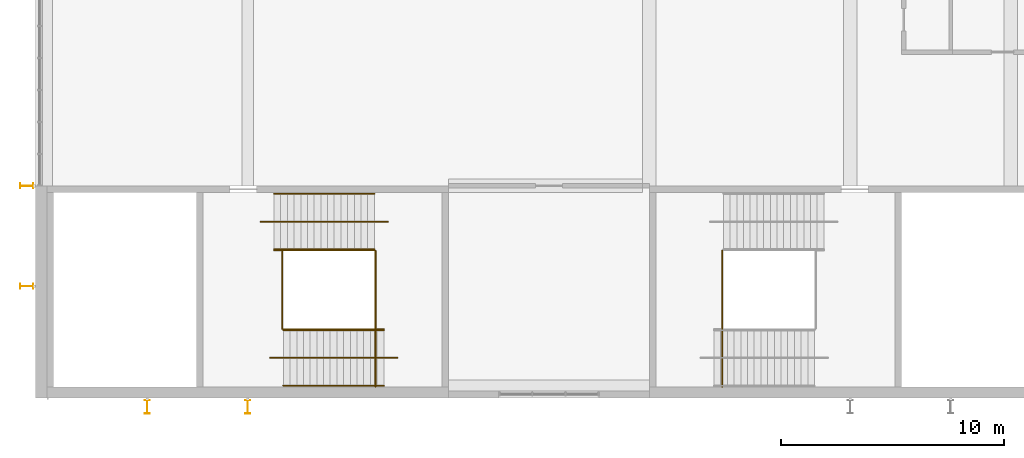
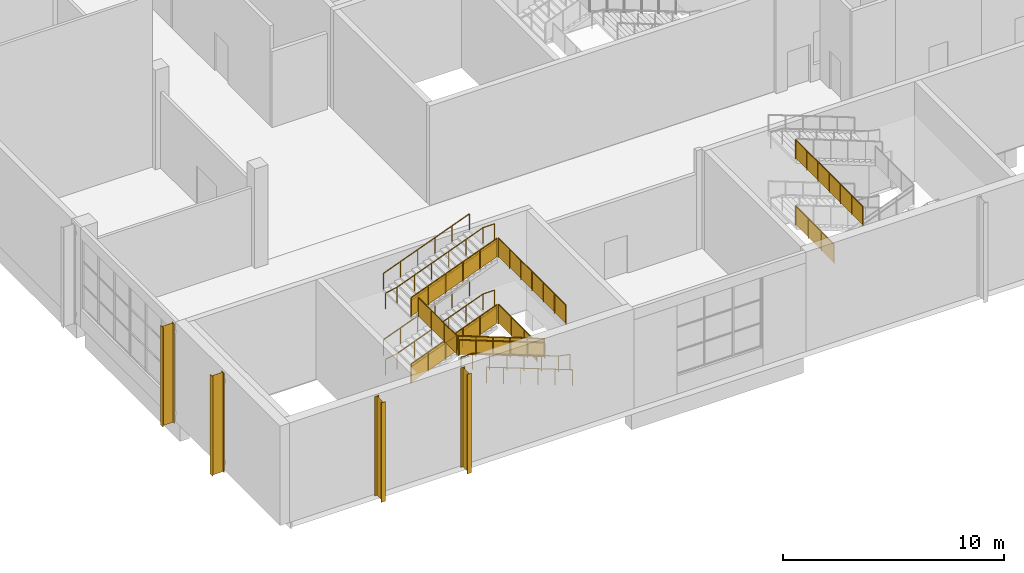
# One storey, part 60 of 84: 17 railings, 4 shading devices.
"""IFC4 building model written with IfcOpenShell, lengths in metres."""

from ifc_helpers import new_model, si_unit, direction, frame, origin, origin_2d, place, context, subcontext, project, spatial, polyline, circle, i_section, outline, extrude, material, material_profile, profile_set, type_object, element, save


model = new_model("IFC4")

# Units and contexts
model_context = context("Model", 3, precision=1e-05, world=origin(), true_north=direction((0.0, 1.0)))
body_context = subcontext(model_context, "Body", "Model", "MODEL_VIEW")
ifc_project = project(units=[si_unit("LENGTHUNIT", "METRE"), si_unit("AREAUNIT", "SQUARE_METRE"), si_unit("VOLUMEUNIT", "CUBIC_METRE"), si_unit("PLANEANGLEUNIT", "RADIAN"), si_unit("MASSUNIT", "GRAM", prefix="KILO")], contexts=[model_context])

# Site, building, storey
site_placement = place(None, origin())
site = spatial("IfcSite", under=ifc_project, at=site_placement, CompositionType="ELEMENT")
building_placement = place(site_placement, origin())
building = spatial("IfcBuilding", under=site, at=building_placement, Name="Silverbay Arena", CompositionType="ELEMENT")
storey_placement = place(building_placement, frame((0.0, 0.0, 28.0)))
storey = spatial("IfcBuildingStorey", under=building, at=storey_placement, Name="L04", CompositionType="ELEMENT", Elevation=28.0)

# Railings
ifc_material_1 = material(Name="Stainless steel", Category="steel")
railing_type_1 = type_object("IfcRailingType", Name="Stair guard 1100", PredefinedType="GUARDRAIL", material=ifc_material_1)
railing_1_placement = place(storey_placement, frame((84.2705078125, 24.10009765625, 1.833251953125)))
element("IfcRailing", 1, at=railing_1_placement, inside=storey, type_object=railing_type_1, Name="Stair ST-S1 L04 to L05 landing 1 guard", PredefinedType="GUARDRAIL", context=body_context, shape_type="SweptSolid", body=[
    extrude(circle(Radius=0.02392578125, at=origin_2d()), frame((0.0, 0.0, 1.076171875), z_axis=(0.0, -1.0, 0.0), x_axis=(1.0, 0.0, 0.0)), (0.0, 0.0, 1.0), 3.5),
    extrude(outline(polyline([(-0.008056640625, 0.050048828125), (1.174560546875, 0.050048828125), (1.174560546875, 1.052978515625), (-0.008056640625, 1.052978515625), (-0.008056640625, 0.050048828125)])), frame((0.0029296875, 0.0, 0.0), z_axis=(-1.0, 0.0, 0.0), x_axis=(0.0, -1.0, 0.0)), (0.0, 0.0, 1.0), 0.006103515625),
    extrude(outline(polyline([(-0.008056640625, 0.050048828125), (1.174560546875, 0.050048828125), (1.174560546875, 1.052978515625), (-0.008056640625, 1.052978515625), (-0.008056640625, 0.050048828125)])), frame((0.0029296875, -1.166748046875, 0.0), z_axis=(-1.0, 0.0, 0.0), x_axis=(0.0, -1.0, 0.0)), (0.0, 0.0, 1.0), 0.006103515625),
    extrude(outline(polyline([(-0.008056640625, 0.050048828125), (1.174560546875, 0.050048828125), (1.174560546875, 1.052978515625), (-0.008056640625, 1.052978515625), (-0.008056640625, 0.050048828125)])), frame((0.0029296875, -2.333251953125, 0.0), z_axis=(-1.0, 0.0, 0.0), x_axis=(0.0, -1.0, 0.0)), (0.0, 0.0, 1.0), 0.006103515625),
    extrude(circle(Radius=0.02099609375, at=origin_2d()), origin(), (0.0, 0.0, 1.0), 1.052001953125),
    extrude(circle(Radius=0.02099609375, at=origin_2d()), frame((0.0, -1.166748046875, 0.0)), (0.0, 0.0, 1.0), 1.052001953125),
    extrude(circle(Radius=0.02099609375, at=origin_2d()), frame((0.0, -2.333251953125, 0.0)), (0.0, 0.0, 1.0), 1.052001953125),
    extrude(circle(Radius=0.02099609375, at=origin_2d()), frame((0.0, -3.5, 0.0)), (0.0, 0.0, 1.0), 1.052001953125),
])
railing_2_placement = place(storey_placement, frame((84.2705078125, 24.10009765625, 5.5)))
element("IfcRailing", 2, at=railing_2_placement, inside=storey, type_object=railing_type_1, Name="Stair ST-S1 L04 to L05 landing 3 guard", PredefinedType="GUARDRAIL", context=body_context, shape_type="SweptSolid", body=[
    extrude(circle(Radius=0.02392578125, at=origin_2d()), frame((0.0, 0.0, 1.076171875), z_axis=(0.0, -1.0, 0.0), x_axis=(1.0, 0.0, 0.0)), (0.0, 0.0, 1.0), 6.10009765625),
    extrude(outline(polyline([(-0.008056640625, 0.050048828125), (1.024658203125, 0.050048828125), (1.024658203125, 1.052978515625), (-0.008056640625, 1.052978515625), (-0.008056640625, 0.050048828125)])), frame((0.0029296875, 0.0, 0.0), z_axis=(-1.0, 0.0, 0.0), x_axis=(0.0, -1.0, 0.0)), (0.0, 0.0, 1.0), 0.006103515625),
    extrude(outline(polyline([(-0.008056640625, 0.050048828125), (1.024658203125, 0.050048828125), (1.024658203125, 1.052978515625), (-0.008056640625, 1.052978515625), (-0.008056640625, 0.050048828125)])), frame((0.0029296875, -1.0166015625, 0.0), z_axis=(-1.0, 0.0, 0.0), x_axis=(0.0, -1.0, 0.0)), (0.0, 0.0, 1.0), 0.006103515625),
    extrude(outline(polyline([(-0.008056640625, 0.050048828125), (1.024658203125, 0.050048828125), (1.024658203125, 1.052978515625), (-0.008056640625, 1.052978515625), (-0.008056640625, 0.050048828125)])), frame((0.0029296875, -2.033447265625, 0.0), z_axis=(-1.0, 0.0, 0.0), x_axis=(0.0, -1.0, 0.0)), (0.0, 0.0, 1.0), 0.006103515625),
    extrude(outline(polyline([(-0.008056640625, 0.050048828125), (1.024658203125, 0.050048828125), (1.024658203125, 1.052978515625), (-0.008056640625, 1.052978515625), (-0.008056640625, 0.050048828125)])), frame((0.0029296875, -3.050048828125, 0.0), z_axis=(-1.0, 0.0, 0.0), x_axis=(0.0, -1.0, 0.0)), (0.0, 0.0, 1.0), 0.006103515625),
    extrude(outline(polyline([(-0.008056640625, 0.050048828125), (1.024658203125, 0.050048828125), (1.024658203125, 1.052978515625), (-0.008056640625, 1.052978515625), (-0.008056640625, 0.050048828125)])), frame((0.0029296875, -4.066650390625, 0.0), z_axis=(-1.0, 0.0, 0.0), x_axis=(0.0, -1.0, 0.0)), (0.0, 0.0, 1.0), 0.006103515625),
    extrude(outline(polyline([(-0.008056640625, 0.050048828125), (1.024658203125, 0.050048828125), (1.024658203125, 1.052978515625), (-0.008056640625, 1.052978515625), (-0.008056640625, 0.050048828125)])), frame((0.0029296875, -5.08349609375, 0.0), z_axis=(-1.0, 0.0, 0.0), x_axis=(0.0, -1.0, 0.0)), (0.0, 0.0, 1.0), 0.006103515625),
    extrude(circle(Radius=0.02099609375, at=origin_2d()), origin(), (0.0, 0.0, 1.0), 1.052001953125),
    extrude(circle(Radius=0.02099609375, at=origin_2d()), frame((0.0, -1.0166015625, 0.0)), (0.0, 0.0, 1.0), 1.052001953125),
    extrude(circle(Radius=0.02099609375, at=origin_2d()), frame((0.0, -2.033447265625, 0.0)), (0.0, 0.0, 1.0), 1.052001953125),
    extrude(circle(Radius=0.02099609375, at=origin_2d()), frame((0.0, -3.050048828125, 0.0)), (0.0, 0.0, 1.0), 1.052001953125),
    extrude(circle(Radius=0.02099609375, at=origin_2d()), frame((0.0, -4.066650390625, 0.0)), (0.0, 0.0, 1.0), 1.052001953125),
    extrude(circle(Radius=0.02099609375, at=origin_2d()), frame((0.0, -5.08349609375, 0.0)), (0.0, 0.0, 1.0), 1.052001953125),
    extrude(circle(Radius=0.02099609375, at=origin_2d()), frame((0.0, -6.10009765625, 0.0)), (0.0, 0.0, 1.0), 1.052001953125),
])
railing_3_placement = place(storey_placement, frame((64.1796875, 24.125, 0.114501953125)))
element("IfcRailing", 3, at=railing_3_placement, inside=storey, type_object=railing_type_1, Name="Stair ST-S5 L04 to L05 flight 1 guard right", PredefinedType="GUARDRAIL", context=body_context, shape_type="SweptSolid", body=[
    extrude(circle(Radius=0.02392578125, at=origin_2d()), frame((0.0, 0.0, 1.076171875), z_axis=(0.93417907455, 0.0, 0.356804507641), x_axis=(0.0, 1.0, 0.0)), (0.0, 0.0, 1.0), 4.817138671875),
    extrude(outline(polyline([(-0.008056640625, 0.046875), (0.907958984375, 0.396728515625), (0.907958984375, 1.39990234375), (-0.008056640625, 1.050048828125), (-0.008056640625, 0.046875)])), frame((0.0, 0.0029296875, 0.0), z_axis=(0.0, -1.0, 0.0), x_axis=(1.0, 0.0, 0.0)), (0.0, 0.0, 1.0), 0.006103515625),
    extrude(outline(polyline([(-0.008056640625, 0.390625), (0.907958984375, 0.740478515625), (0.907958984375, 1.74365234375), (-0.008056640625, 1.393798828125), (-0.008056640625, 0.390625)])), frame((0.89990234375, 0.0029296875, 0.0), z_axis=(0.0, -1.0, 0.0), x_axis=(1.0, 0.0, 0.0)), (0.0, 0.0, 1.0), 0.006103515625),
    extrude(outline(polyline([(-0.008056640625, 0.734375), (0.907958984375, 1.084228515625), (0.907958984375, 2.08740234375), (-0.008056640625, 1.737548828125), (-0.008056640625, 0.734375)])), frame((1.800048828125, 0.0029296875, 0.0), z_axis=(0.0, -1.0, 0.0), x_axis=(1.0, 0.0, 0.0)), (0.0, 0.0, 1.0), 0.006103515625),
    extrude(outline(polyline([(-0.008056640625, 1.078125), (0.907958984375, 1.427978515625), (0.907958984375, 2.43115234375), (-0.008056640625, 2.081298828125), (-0.008056640625, 1.078125)])), frame((2.699951171875, 0.0029296875, 0.0), z_axis=(0.0, -1.0, 0.0), x_axis=(1.0, 0.0, 0.0)), (0.0, 0.0, 1.0), 0.006103515625),
    extrude(outline(polyline([(-0.008056640625, 1.421875), (0.907958984375, 1.771728515625), (0.907958984375, 2.77490234375), (-0.008056640625, 2.425048828125), (-0.008056640625, 1.421875)])), frame((3.60009765625, 0.0029296875, 0.0), z_axis=(0.0, -1.0, 0.0), x_axis=(1.0, 0.0, 0.0)), (0.0, 0.0, 1.0), 0.006103515625),
    extrude(circle(Radius=0.02099609375, at=origin_2d()), origin(), (0.0, 0.0, 1.0), 1.052001953125),
    extrude(circle(Radius=0.02099609375, at=origin_2d()), frame((0.89990234375, 0.0, 0.34375)), (0.0, 0.0, 1.0), 1.052001953125),
    extrude(circle(Radius=0.02099609375, at=origin_2d()), frame((1.800048828125, 0.0, 0.6875)), (0.0, 0.0, 1.0), 1.052001953125),
    extrude(circle(Radius=0.02099609375, at=origin_2d()), frame((2.699951171875, 0.0, 1.03125)), (0.0, 0.0, 1.0), 1.052001953125),
    extrude(circle(Radius=0.02099609375, at=origin_2d()), frame((3.60009765625, 0.0, 1.375)), (0.0, 0.0, 1.0), 1.052001953125),
    extrude(circle(Radius=0.02099609375, at=origin_2d()), frame((4.5, 0.0, 1.71875)), (0.0, 0.0, 1.0), 1.052001953125),
])
railing_4_placement = place(storey_placement, frame((69.10009765625, 20.574951171875, 1.947998046875)))
element("IfcRailing", 4, at=railing_4_placement, inside=storey, type_object=railing_type_1, Name="Stair ST-S5 L04 to L05 flight 2 guard left", PredefinedType="GUARDRAIL", context=body_context, shape_type="SweptSolid", body=[
    extrude(circle(Radius=0.02392578125, at=origin_2d()), frame((0.0, 0.0, 1.076171875), z_axis=(-0.93417907455, 0.0, 0.356804507641), x_axis=(0.0, -1.0, 0.0)), (0.0, 0.0, 1.0), 4.817138671875),
    extrude(outline(polyline([(-0.008056640625, 0.046875), (0.907958984375, 0.396728515625), (0.907958984375, 1.39990234375), (-0.008056640625, 1.050048828125), (-0.008056640625, 0.046875)])), frame((0.0, -0.0029296875, 0.0), z_axis=(0.0, 1.0, 0.0), x_axis=(-1.0, 0.0, 0.0)), (0.0, 0.0, 1.0), 0.006103515625),
    extrude(outline(polyline([(-0.008056640625, 0.390625), (0.907958984375, 0.740478515625), (0.907958984375, 1.74365234375), (-0.008056640625, 1.393798828125), (-0.008056640625, 0.390625)])), frame((-0.89990234375, -0.0029296875, 0.0), z_axis=(0.0, 1.0, 0.0), x_axis=(-1.0, 0.0, 0.0)), (0.0, 0.0, 1.0), 0.006103515625),
    extrude(outline(polyline([(-0.008056640625, 0.734375), (0.907958984375, 1.084228515625), (0.907958984375, 2.08740234375), (-0.008056640625, 1.737548828125), (-0.008056640625, 0.734375)])), frame((-1.800048828125, -0.0029296875, 0.0), z_axis=(0.0, 1.0, 0.0), x_axis=(-1.0, 0.0, 0.0)), (0.0, 0.0, 1.0), 0.006103515625),
    extrude(outline(polyline([(-0.008056640625, 1.078125), (0.907958984375, 1.427978515625), (0.907958984375, 2.43115234375), (-0.008056640625, 2.081298828125), (-0.008056640625, 1.078125)])), frame((-2.699951171875, -0.0029296875, 0.0), z_axis=(0.0, 1.0, 0.0), x_axis=(-1.0, 0.0, 0.0)), (0.0, 0.0, 1.0), 0.006103515625),
    extrude(outline(polyline([(-0.008056640625, 1.421875), (0.907958984375, 1.771728515625), (0.907958984375, 2.77490234375), (-0.008056640625, 2.425048828125), (-0.008056640625, 1.421875)])), frame((-3.60009765625, -0.0029296875, 0.0), z_axis=(0.0, 1.0, 0.0), x_axis=(-1.0, 0.0, 0.0)), (0.0, 0.0, 1.0), 0.006103515625),
    extrude(circle(Radius=0.02099609375, at=origin_2d()), origin(), (0.0, 0.0, 1.0), 1.052001953125),
    extrude(circle(Radius=0.02099609375, at=origin_2d()), frame((-0.89990234375, 0.0, 0.34375)), (0.0, 0.0, 1.0), 1.052001953125),
    extrude(circle(Radius=0.02099609375, at=origin_2d()), frame((-1.800048828125, 0.0, 0.6875)), (0.0, 0.0, 1.0), 1.052001953125),
    extrude(circle(Radius=0.02099609375, at=origin_2d()), frame((-2.699951171875, 0.0, 1.03125)), (0.0, 0.0, 1.0), 1.052001953125),
    extrude(circle(Radius=0.02099609375, at=origin_2d()), frame((-3.60009765625, 0.0, 1.375)), (0.0, 0.0, 1.0), 1.052001953125),
    extrude(circle(Radius=0.02099609375, at=origin_2d()), frame((-4.5, 0.0, 1.71875)), (0.0, 0.0, 1.0), 1.052001953125),
])
railing_5_placement = place(storey_placement, frame((64.1796875, 24.125, 3.78125)))
element("IfcRailing", 5, at=railing_5_placement, inside=storey, type_object=railing_type_1, Name="Stair ST-S5 L04 to L05 flight 3 guard right", PredefinedType="GUARDRAIL", context=body_context, shape_type="SweptSolid", body=[
    extrude(circle(Radius=0.02392578125, at=origin_2d()), frame((0.0, 0.0, 1.076171875), z_axis=(0.93417907455, 0.0, 0.356804507641), x_axis=(0.0, 1.0, 0.0)), (0.0, 0.0, 1.0), 4.817138671875),
    extrude(outline(polyline([(-0.008056640625, 0.046875), (0.907958984375, 0.396728515625), (0.907958984375, 1.39990234375), (-0.008056640625, 1.050048828125), (-0.008056640625, 0.046875)])), frame((0.0, 0.0029296875, 0.0), z_axis=(0.0, -1.0, 0.0), x_axis=(1.0, 0.0, 0.0)), (0.0, 0.0, 1.0), 0.006103515625),
    extrude(outline(polyline([(-0.008056640625, 0.390625), (0.907958984375, 0.740478515625), (0.907958984375, 1.74365234375), (-0.008056640625, 1.393798828125), (-0.008056640625, 0.390625)])), frame((0.89990234375, 0.0029296875, 0.0), z_axis=(0.0, -1.0, 0.0), x_axis=(1.0, 0.0, 0.0)), (0.0, 0.0, 1.0), 0.006103515625),
    extrude(outline(polyline([(-0.008056640625, 0.734375), (0.907958984375, 1.084228515625), (0.907958984375, 2.08740234375), (-0.008056640625, 1.737548828125), (-0.008056640625, 0.734375)])), frame((1.800048828125, 0.0029296875, 0.0), z_axis=(0.0, -1.0, 0.0), x_axis=(1.0, 0.0, 0.0)), (0.0, 0.0, 1.0), 0.006103515625),
    extrude(outline(polyline([(-0.008056640625, 1.078125), (0.907958984375, 1.427978515625), (0.907958984375, 2.43115234375), (-0.008056640625, 2.081298828125), (-0.008056640625, 1.078125)])), frame((2.699951171875, 0.0029296875, 0.0), z_axis=(0.0, -1.0, 0.0), x_axis=(1.0, 0.0, 0.0)), (0.0, 0.0, 1.0), 0.006103515625),
    extrude(outline(polyline([(-0.008056640625, 1.421875), (0.907958984375, 1.771728515625), (0.907958984375, 2.77490234375), (-0.008056640625, 2.425048828125), (-0.008056640625, 1.421875)])), frame((3.60009765625, 0.0029296875, 0.0), z_axis=(0.0, -1.0, 0.0), x_axis=(1.0, 0.0, 0.0)), (0.0, 0.0, 1.0), 0.006103515625),
    extrude(circle(Radius=0.02099609375, at=origin_2d()), origin(), (0.0, 0.0, 1.0), 1.052001953125),
    extrude(circle(Radius=0.02099609375, at=origin_2d()), frame((0.89990234375, 0.0, 0.34375)), (0.0, 0.0, 1.0), 1.052001953125),
    extrude(circle(Radius=0.02099609375, at=origin_2d()), frame((1.800048828125, 0.0, 0.6875)), (0.0, 0.0, 1.0), 1.052001953125),
    extrude(circle(Radius=0.02099609375, at=origin_2d()), frame((2.699951171875, 0.0, 1.03125)), (0.0, 0.0, 1.0), 1.052001953125),
    extrude(circle(Radius=0.02099609375, at=origin_2d()), frame((3.60009765625, 0.0, 1.375)), (0.0, 0.0, 1.0), 1.052001953125),
    extrude(circle(Radius=0.02099609375, at=origin_2d()), frame((4.5, 0.0, 1.71875)), (0.0, 0.0, 1.0), 1.052001953125),
])
for number, where, name in (
    (6, (68.7294921875, 24.10009765625, 1.833251953125), "Stair ST-S5 L04 to L05 landing 1 guard"),
    (7, (64.550048828125, 24.10009765625, 3.666748046875), "Stair ST-S5 L04 to L05 landing 2 guard"),
):
    element("IfcRailing", number, at=place(storey_placement, frame(where)), inside=storey, type_object=railing_type_1, Name=name, PredefinedType="GUARDRAIL", context=body_context, shape_type="SweptSolid", body=[
        extrude(circle(Radius=0.02392578125, at=origin_2d()), frame((0.0, 0.0, 1.076171875), z_axis=(0.0, -1.0, 0.0), x_axis=(1.0, 0.0, 0.0)), (0.0, 0.0, 1.0), 3.5),
        extrude(outline(polyline([(-0.008056640625, 0.050048828125), (1.174560546875, 0.050048828125), (1.174560546875, 1.052978515625), (-0.008056640625, 1.052978515625), (-0.008056640625, 0.050048828125)])), frame((0.0029296875, 0.0, 0.0), z_axis=(-1.0, 0.0, 0.0), x_axis=(0.0, -1.0, 0.0)), (0.0, 0.0, 1.0), 0.006103515625),
        extrude(outline(polyline([(-0.008056640625, 0.050048828125), (1.174560546875, 0.050048828125), (1.174560546875, 1.052978515625), (-0.008056640625, 1.052978515625), (-0.008056640625, 0.050048828125)])), frame((0.0029296875, -1.166748046875, 0.0), z_axis=(-1.0, 0.0, 0.0), x_axis=(0.0, -1.0, 0.0)), (0.0, 0.0, 1.0), 0.006103515625),
        extrude(outline(polyline([(-0.008056640625, 0.050048828125), (1.174560546875, 0.050048828125), (1.174560546875, 1.052978515625), (-0.008056640625, 1.052978515625), (-0.008056640625, 0.050048828125)])), frame((0.0029296875, -2.333251953125, 0.0), z_axis=(-1.0, 0.0, 0.0), x_axis=(0.0, -1.0, 0.0)), (0.0, 0.0, 1.0), 0.006103515625),
        extrude(circle(Radius=0.02099609375, at=origin_2d()), origin(), (0.0, 0.0, 1.0), 1.052001953125),
        extrude(circle(Radius=0.02099609375, at=origin_2d()), frame((0.0, -1.166748046875, 0.0)), (0.0, 0.0, 1.0), 1.052001953125),
        extrude(circle(Radius=0.02099609375, at=origin_2d()), frame((0.0, -2.333251953125, 0.0)), (0.0, 0.0, 1.0), 1.052001953125),
        extrude(circle(Radius=0.02099609375, at=origin_2d()), frame((0.0, -3.5, 0.0)), (0.0, 0.0, 1.0), 1.052001953125),
    ])
railing_6_placement = place(storey_placement, frame((68.7294921875, 24.10009765625, 5.5)))
element("IfcRailing", 8, at=railing_6_placement, inside=storey, type_object=railing_type_1, Name="Stair ST-S5 L04 to L05 landing 3 guard", PredefinedType="GUARDRAIL", context=body_context, shape_type="SweptSolid", body=[
    extrude(circle(Radius=0.02392578125, at=origin_2d()), frame((0.0, 0.0, 1.076171875), z_axis=(0.0, -1.0, 0.0), x_axis=(1.0, 0.0, 0.0)), (0.0, 0.0, 1.0), 6.10009765625),
    extrude(outline(polyline([(-0.008056640625, 0.050048828125), (1.024658203125, 0.050048828125), (1.024658203125, 1.052978515625), (-0.008056640625, 1.052978515625), (-0.008056640625, 0.050048828125)])), frame((0.0029296875, 0.0, 0.0), z_axis=(-1.0, 0.0, 0.0), x_axis=(0.0, -1.0, 0.0)), (0.0, 0.0, 1.0), 0.006103515625),
    extrude(outline(polyline([(-0.008056640625, 0.050048828125), (1.024658203125, 0.050048828125), (1.024658203125, 1.052978515625), (-0.008056640625, 1.052978515625), (-0.008056640625, 0.050048828125)])), frame((0.0029296875, -1.0166015625, 0.0), z_axis=(-1.0, 0.0, 0.0), x_axis=(0.0, -1.0, 0.0)), (0.0, 0.0, 1.0), 0.006103515625),
    extrude(outline(polyline([(-0.008056640625, 0.050048828125), (1.024658203125, 0.050048828125), (1.024658203125, 1.052978515625), (-0.008056640625, 1.052978515625), (-0.008056640625, 0.050048828125)])), frame((0.0029296875, -2.033447265625, 0.0), z_axis=(-1.0, 0.0, 0.0), x_axis=(0.0, -1.0, 0.0)), (0.0, 0.0, 1.0), 0.006103515625),
    extrude(outline(polyline([(-0.008056640625, 0.050048828125), (1.024658203125, 0.050048828125), (1.024658203125, 1.052978515625), (-0.008056640625, 1.052978515625), (-0.008056640625, 0.050048828125)])), frame((0.0029296875, -3.050048828125, 0.0), z_axis=(-1.0, 0.0, 0.0), x_axis=(0.0, -1.0, 0.0)), (0.0, 0.0, 1.0), 0.006103515625),
    extrude(outline(polyline([(-0.008056640625, 0.050048828125), (1.024658203125, 0.050048828125), (1.024658203125, 1.052978515625), (-0.008056640625, 1.052978515625), (-0.008056640625, 0.050048828125)])), frame((0.0029296875, -4.066650390625, 0.0), z_axis=(-1.0, 0.0, 0.0), x_axis=(0.0, -1.0, 0.0)), (0.0, 0.0, 1.0), 0.006103515625),
    extrude(outline(polyline([(-0.008056640625, 0.050048828125), (1.024658203125, 0.050048828125), (1.024658203125, 1.052978515625), (-0.008056640625, 1.052978515625), (-0.008056640625, 0.050048828125)])), frame((0.0029296875, -5.08349609375, 0.0), z_axis=(-1.0, 0.0, 0.0), x_axis=(0.0, -1.0, 0.0)), (0.0, 0.0, 1.0), 0.006103515625),
    extrude(circle(Radius=0.02099609375, at=origin_2d()), origin(), (0.0, 0.0, 1.0), 1.052001953125),
    extrude(circle(Radius=0.02099609375, at=origin_2d()), frame((0.0, -1.0166015625, 0.0)), (0.0, 0.0, 1.0), 1.052001953125),
    extrude(circle(Radius=0.02099609375, at=origin_2d()), frame((0.0, -2.033447265625, 0.0)), (0.0, 0.0, 1.0), 1.052001953125),
    extrude(circle(Radius=0.02099609375, at=origin_2d()), frame((0.0, -3.050048828125, 0.0)), (0.0, 0.0, 1.0), 1.052001953125),
    extrude(circle(Radius=0.02099609375, at=origin_2d()), frame((0.0, -4.066650390625, 0.0)), (0.0, 0.0, 1.0), 1.052001953125),
    extrude(circle(Radius=0.02099609375, at=origin_2d()), frame((0.0, -5.08349609375, 0.0)), (0.0, 0.0, 1.0), 1.052001953125),
    extrude(circle(Radius=0.02099609375, at=origin_2d()), frame((0.0, -6.10009765625, 0.0)), (0.0, 0.0, 1.0), 1.052001953125),
])
ifc_material_2 = material(Name="Stainless steel", Category="steel")
railing_type_2 = type_object("IfcRailingType", Name="Stair handrail 900", PredefinedType="HANDRAIL", material=ifc_material_2)
for number, where, name in (
    (9, (64.1796875, 26.64990234375, 0.114501953125), "Stair ST-S5 L04 to L05 flight 1 handrail left"),
    (10, (64.1796875, 24.1640625, 0.114501953125), "Stair ST-S5 L04 to L05 flight 1 handrail right"),
):
    element("IfcRailing", number, at=place(storey_placement, frame(where)), inside=storey, type_object=railing_type_2, Name=name, PredefinedType="HANDRAIL", context=body_context, shape_type="SweptSolid", body=[
        extrude(circle(Radius=0.02392578125, at=origin_2d()), frame((0.0, 0.0, 0.8759765625), z_axis=(0.93417907455, 0.0, 0.356804507641), x_axis=(0.0, 1.0, 0.0)), (0.0, 0.0, 1.0), 4.817138671875),
        extrude(circle(Radius=0.02099609375, at=origin_2d()), origin(), (0.0, 0.0, 1.0), 0.851806640625),
        extrude(circle(Radius=0.02099609375, at=origin_2d()), frame((0.89990234375, 0.0, 0.34375)), (0.0, 0.0, 1.0), 0.851806640625),
        extrude(circle(Radius=0.02099609375, at=origin_2d()), frame((1.800048828125, 0.0, 0.6875)), (0.0, 0.0, 1.0), 0.851806640625),
        extrude(circle(Radius=0.02099609375, at=origin_2d()), frame((2.699951171875, 0.0, 1.03125)), (0.0, 0.0, 1.0), 0.851806640625),
        extrude(circle(Radius=0.02099609375, at=origin_2d()), frame((3.60009765625, 0.0, 1.375)), (0.0, 0.0, 1.0), 0.851806640625),
        extrude(circle(Radius=0.02099609375, at=origin_2d()), frame((4.5, 0.0, 1.71875)), (0.0, 0.0, 1.0), 0.851806640625),
    ])
railing_7_placement = place(storey_placement, frame((63.57958984375, 25.39990234375, 0.0)))
element("IfcRailing", 11, at=railing_7_placement, inside=storey, type_object=railing_type_2, Name="Stair ST-S5 L04 to L05 flight 1 central handrail", PredefinedType="HANDRAIL", context=body_context, shape_type="SweptSolid", body=[
    extrude(circle(Radius=0.02392578125, at=origin_2d()), frame((0.0, 0.0, 0.8759765625), z_axis=(0.982279053969, 0.0, 0.187424278402), x_axis=(0.0, 1.0, 0.0)), (0.0, 0.0, 1.0), 0.61083984375),
    extrude(circle(Radius=0.02392578125, at=origin_2d()), frame((0.60009765625, 0.0, 0.990234375), z_axis=(0.93417907455, 0.0, 0.356804507641), x_axis=(0.0, 1.0, 0.0)), (0.0, 0.0, 1.0), 4.817138671875),
    extrude(circle(Radius=0.02392578125, at=origin_2d()), frame((5.10009765625, 0.0, 2.708984375), z_axis=(1.0, 0.0, 0.0), x_axis=(0.0, 1.0, 0.0)), (0.0, 0.0, 1.0), 0.599853515625),
    extrude(circle(Radius=0.02099609375, at=origin_2d()), origin(), (0.0, 0.0, 1.0), 0.851806640625),
    extrude(circle(Radius=0.02099609375, at=origin_2d()), frame((0.60009765625, 0.0, 0.114501953125)), (0.0, 0.0, 1.0), 0.851806640625),
    extrude(circle(Radius=0.02099609375, at=origin_2d()), frame((1.5, 0.0, 0.458251953125)), (0.0, 0.0, 1.0), 0.851806640625),
    extrude(circle(Radius=0.02099609375, at=origin_2d()), frame((2.400146484375, 0.0, 0.802001953125)), (0.0, 0.0, 1.0), 0.851806640625),
    extrude(circle(Radius=0.02099609375, at=origin_2d()), frame((3.300048828125, 0.0, 1.145751953125)), (0.0, 0.0, 1.0), 0.851806640625),
    extrude(circle(Radius=0.02099609375, at=origin_2d()), frame((4.2001953125, 0.0, 1.489501953125)), (0.0, 0.0, 1.0), 0.851806640625),
    extrude(circle(Radius=0.02099609375, at=origin_2d()), frame((5.10009765625, 0.0, 1.833251953125)), (0.0, 0.0, 1.0), 0.851806640625),
    extrude(circle(Radius=0.02099609375, at=origin_2d()), frame((5.699951171875, 0.0, 1.833251953125)), (0.0, 0.0, 1.0), 0.851806640625),
])
for number, where, name in (
    (12, (69.10009765625, 20.535888671875, 1.947998046875), "Stair ST-S5 L04 to L05 flight 2 handrail left"),
    (13, (69.10009765625, 18.050048828125, 1.947998046875), "Stair ST-S5 L04 to L05 flight 2 handrail right"),
):
    element("IfcRailing", number, at=place(storey_placement, frame(where)), inside=storey, type_object=railing_type_2, Name=name, PredefinedType="HANDRAIL", context=body_context, shape_type="SweptSolid", body=[
        extrude(circle(Radius=0.02392578125, at=origin_2d()), frame((0.0, 0.0, 0.8759765625), z_axis=(-0.93417907455, 0.0, 0.356804507641), x_axis=(0.0, -1.0, 0.0)), (0.0, 0.0, 1.0), 4.817138671875),
        extrude(circle(Radius=0.02099609375, at=origin_2d()), origin(), (0.0, 0.0, 1.0), 0.851806640625),
        extrude(circle(Radius=0.02099609375, at=origin_2d()), frame((-0.89990234375, 0.0, 0.34375)), (0.0, 0.0, 1.0), 0.851806640625),
        extrude(circle(Radius=0.02099609375, at=origin_2d()), frame((-1.800048828125, 0.0, 0.6875)), (0.0, 0.0, 1.0), 0.851806640625),
        extrude(circle(Radius=0.02099609375, at=origin_2d()), frame((-2.699951171875, 0.0, 1.03125)), (0.0, 0.0, 1.0), 0.851806640625),
        extrude(circle(Radius=0.02099609375, at=origin_2d()), frame((-3.60009765625, 0.0, 1.375)), (0.0, 0.0, 1.0), 0.851806640625),
        extrude(circle(Radius=0.02099609375, at=origin_2d()), frame((-4.5, 0.0, 1.71875)), (0.0, 0.0, 1.0), 0.851806640625),
    ])
railing_8_placement = place(storey_placement, frame((69.699951171875, 19.300048828125, 1.833251953125)))
element("IfcRailing", 14, at=railing_8_placement, inside=storey, type_object=railing_type_2, Name="Stair ST-S5 L04 to L05 flight 2 central handrail", PredefinedType="HANDRAIL", context=body_context, shape_type="SweptSolid", body=[
    extrude(circle(Radius=0.02392578125, at=origin_2d()), frame((0.0, 0.0, 0.8759765625), z_axis=(-0.982191308576, 0.0, 0.187883563301), x_axis=(0.0, -1.0, 0.0)), (0.0, 0.0, 1.0), 0.61083984375),
    extrude(circle(Radius=0.02392578125, at=origin_2d()), frame((-0.599853515625, 0.0, 0.99072265625), z_axis=(-0.93417907455, 0.0, 0.356804507641), x_axis=(0.0, -1.0, 0.0)), (0.0, 0.0, 1.0), 4.817138671875),
    extrude(circle(Radius=0.02392578125, at=origin_2d()), frame((-5.099853515625, 0.0, 2.70947265625), z_axis=(-1.0, 0.0, 0.0), x_axis=(0.0, -1.0, 0.0)), (0.0, 0.0, 1.0), 0.60009765625),
    extrude(circle(Radius=0.02099609375, at=origin_2d()), origin(), (0.0, 0.0, 1.0), 0.851806640625),
    extrude(circle(Radius=0.02099609375, at=origin_2d()), frame((-0.599853515625, 0.0, 0.11474609375)), (0.0, 0.0, 1.0), 0.851806640625),
    extrude(circle(Radius=0.02099609375, at=origin_2d()), frame((-1.499755859375, 0.0, 0.45849609375)), (0.0, 0.0, 1.0), 0.851806640625),
    extrude(circle(Radius=0.02099609375, at=origin_2d()), frame((-2.39990234375, 0.0, 0.80224609375)), (0.0, 0.0, 1.0), 0.851806640625),
    extrude(circle(Radius=0.02099609375, at=origin_2d()), frame((-3.2998046875, 0.0, 1.14599609375)), (0.0, 0.0, 1.0), 0.851806640625),
    extrude(circle(Radius=0.02099609375, at=origin_2d()), frame((-4.199951171875, 0.0, 1.48974609375)), (0.0, 0.0, 1.0), 0.851806640625),
    extrude(circle(Radius=0.02099609375, at=origin_2d()), frame((-5.099853515625, 0.0, 1.83349609375)), (0.0, 0.0, 1.0), 0.851806640625),
    extrude(circle(Radius=0.02099609375, at=origin_2d()), frame((-5.699951171875, 0.0, 1.83349609375)), (0.0, 0.0, 1.0), 0.851806640625),
])
for number, where, name in (
    (15, (64.1796875, 26.64990234375, 3.78125), "Stair ST-S5 L04 to L05 flight 3 handrail left"),
    (16, (64.1796875, 24.1640625, 3.78125), "Stair ST-S5 L04 to L05 flight 3 handrail right"),
):
    element("IfcRailing", number, at=place(storey_placement, frame(where)), inside=storey, type_object=railing_type_2, Name=name, PredefinedType="HANDRAIL", context=body_context, shape_type="SweptSolid", body=[
        extrude(circle(Radius=0.02392578125, at=origin_2d()), frame((0.0, 0.0, 0.8759765625), z_axis=(0.93417907455, 0.0, 0.356804507641), x_axis=(0.0, 1.0, 0.0)), (0.0, 0.0, 1.0), 4.817138671875),
        extrude(circle(Radius=0.02099609375, at=origin_2d()), origin(), (0.0, 0.0, 1.0), 0.851806640625),
        extrude(circle(Radius=0.02099609375, at=origin_2d()), frame((0.89990234375, 0.0, 0.34375)), (0.0, 0.0, 1.0), 0.851806640625),
        extrude(circle(Radius=0.02099609375, at=origin_2d()), frame((1.800048828125, 0.0, 0.6875)), (0.0, 0.0, 1.0), 0.851806640625),
        extrude(circle(Radius=0.02099609375, at=origin_2d()), frame((2.699951171875, 0.0, 1.03125)), (0.0, 0.0, 1.0), 0.851806640625),
        extrude(circle(Radius=0.02099609375, at=origin_2d()), frame((3.60009765625, 0.0, 1.375)), (0.0, 0.0, 1.0), 0.851806640625),
        extrude(circle(Radius=0.02099609375, at=origin_2d()), frame((4.5, 0.0, 1.71875)), (0.0, 0.0, 1.0), 0.851806640625),
    ])
railing_9_placement = place(storey_placement, frame((63.57958984375, 25.39990234375, 3.666748046875)))
element("IfcRailing", 17, at=railing_9_placement, inside=storey, type_object=railing_type_2, Name="Stair ST-S5 L04 to L05 flight 3 central handrail", PredefinedType="HANDRAIL", context=body_context, shape_type="SweptSolid", body=[
    extrude(circle(Radius=0.02392578125, at=origin_2d()), frame((0.0, 0.0, 0.8759765625), z_axis=(0.982279053969, 0.0, 0.187424278402), x_axis=(0.0, 1.0, 0.0)), (0.0, 0.0, 1.0), 0.61083984375),
    extrude(circle(Radius=0.02392578125, at=origin_2d()), frame((0.60009765625, 0.0, 0.990234375), z_axis=(0.93417907455, 0.0, 0.356804507641), x_axis=(0.0, 1.0, 0.0)), (0.0, 0.0, 1.0), 4.817138671875),
    extrude(circle(Radius=0.02392578125, at=origin_2d()), frame((5.10009765625, 0.0, 2.708984375), z_axis=(1.0, 0.0, 0.0), x_axis=(0.0, 1.0, 0.0)), (0.0, 0.0, 1.0), 0.599853515625),
    extrude(circle(Radius=0.02099609375, at=origin_2d()), origin(), (0.0, 0.0, 1.0), 0.851806640625),
    extrude(circle(Radius=0.02099609375, at=origin_2d()), frame((0.60009765625, 0.0, 0.114501953125)), (0.0, 0.0, 1.0), 0.851806640625),
    extrude(circle(Radius=0.02099609375, at=origin_2d()), frame((1.5, 0.0, 0.458251953125)), (0.0, 0.0, 1.0), 0.851806640625),
    extrude(circle(Radius=0.02099609375, at=origin_2d()), frame((2.400146484375, 0.0, 0.802001953125)), (0.0, 0.0, 1.0), 0.851806640625),
    extrude(circle(Radius=0.02099609375, at=origin_2d()), frame((3.300048828125, 0.0, 1.145751953125)), (0.0, 0.0, 1.0), 0.851806640625),
    extrude(circle(Radius=0.02099609375, at=origin_2d()), frame((4.2001953125, 0.0, 1.489501953125)), (0.0, 0.0, 1.0), 0.851806640625),
    extrude(circle(Radius=0.02099609375, at=origin_2d()), frame((5.10009765625, 0.0, 1.833251953125)), (0.0, 0.0, 1.0), 0.851806640625),
    extrude(circle(Radius=0.02099609375, at=origin_2d()), frame((5.699951171875, 0.0, 1.833251953125)), (0.0, 0.0, 1.0), 0.851806640625),
])

# Shading devices
ifc_material_3 = material(Name="Steel S355", Category="steel")
ifc_material_profile = material_profile(ifc_material_3, i_section(OverallWidth=0.2275390625, OverallDepth=0.6025390625, WebThickness=0.010498046875, FlangeThickness=0.014892578125, at=origin_2d()), Name="UB 610x229x101")
ifc_profile_set = profile_set([ifc_material_profile], Name="Steel S355")
shading_device_type = type_object("IfcShadingDeviceType", Name="Steel fin UB 610x229x101", PredefinedType="USERDEFINED", material=ifc_profile_set)
for number, where, z_axis, x_axis, name in (
    (18, (58.5, 17.0986328125, 0.0), (0.0, 0.0, 1.0), (1.0, 0.0, 0.0), "Steel fin S L04 1"),
    (19, (63.0, 17.0986328125, 0.0), (0.0, 0.0, 1.0), (1.0, 0.0, 0.0), "Steel fin S L04 2"),
    (20, (53.0986328125, 22.5, 0.0), (0.0, 0.0, 1.0), (0.0, 1.0, 0.0), "Steel fin W L04 1"),
    (21, (53.0986328125, 27.0, 0.0), (0.0, 0.0, 1.0), (0.0, 1.0, 0.0), "Steel fin W L04 2"),
):
    element("IfcShadingDevice", number, at=place(storey_placement, frame(where, z_axis=z_axis, x_axis=x_axis)), inside=storey, type_object=shading_device_type, Name=name, ObjectType="FIN", PredefinedType="USERDEFINED", context=body_context, shape_type="SweptSolid", body=[
        extrude(i_section(OverallWidth=0.2275390625, OverallDepth=0.6025390625, WebThickness=0.010498046875, FlangeThickness=0.014892578125, at=origin_2d()), origin(), (0.0, 0.0, 1.0), 5.5),
    ])

save(model, "model.ifc")
